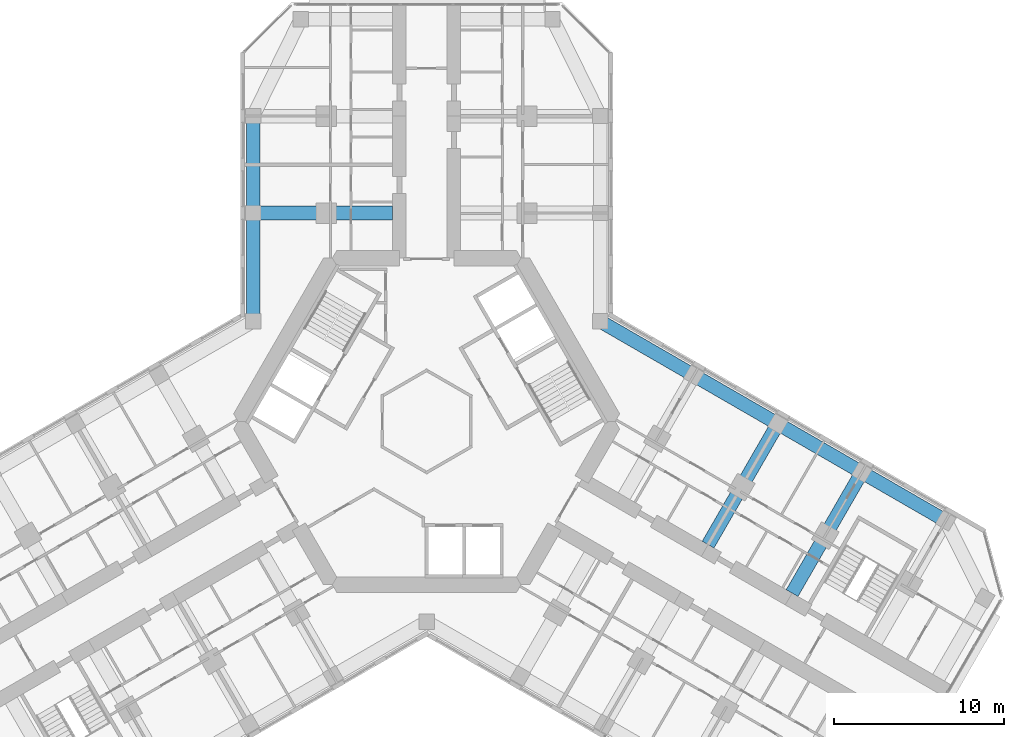
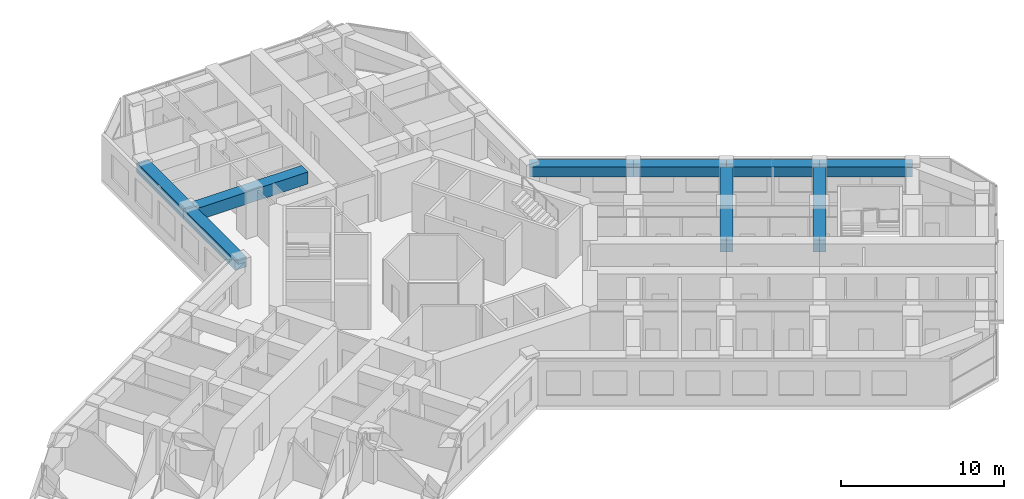
# One storey, part 6 of 19: 9 beams.
"""IFC4 building model written with IfcOpenShell, lengths in metres."""

from ifc_helpers import new_model, si_unit, direction, frame, origin, origin_2d, place, context, subcontext, project, spatial, rectangle, extrude, material, material_profile, profile_set, type_object, element, save


model = new_model("IFC4")

# Units and contexts
model_context = context("Model", 3, precision=1e-05, world=origin(), true_north=direction((0.0, 1.0)))
body_context = subcontext(model_context, "Body", "Model", "MODEL_VIEW")
ifc_project = project(units=[si_unit("LENGTHUNIT", "METRE"), si_unit("AREAUNIT", "SQUARE_METRE"), si_unit("VOLUMEUNIT", "CUBIC_METRE"), si_unit("PLANEANGLEUNIT", "RADIAN"), si_unit("MASSUNIT", "GRAM", prefix="KILO")], contexts=[model_context])

# Site, building, storey
site_placement = place(None, origin())
site = spatial("IfcSite", under=ifc_project, at=site_placement, CompositionType="ELEMENT")
building_placement = place(site_placement, origin())
building = spatial("IfcBuilding", under=site, at=building_placement, Name="Kosmar Iwan School Tower", CompositionType="ELEMENT")
storey_placement = place(building_placement, frame((0.0, 0.0, 158.0)))
storey = spatial("IfcBuildingStorey", under=building, at=storey_placement, Name="L39", CompositionType="ELEMENT", Elevation=158.0)

# Beams
ifc_material_1 = material(Name="Concrete C50/60", Category="concrete")
ifc_material_profile_1 = material_profile(ifc_material_1, rectangle(XDim=0.800048828125, YDim=0.75, at=origin_2d()), Name="RC 800x750")
ifc_profile_set_1 = profile_set([ifc_material_profile_1], Name="Concrete C50/60")
beam_type_1 = type_object("IfcBeamType", Name="RC edge beam 800x750", PredefinedType="BEAM", material=ifc_profile_set_1)
beam_1_placement = place(storey_placement, frame((-10.199951171875, 5.888916015625, 2.97509765625), z_axis=(0.0, 1.0, 0.0), x_axis=(-1.0, 0.0, 0.0)))
element("IfcBeam", 1, at=beam_1_placement, inside=storey, type_object=beam_type_1, Name="Edge beam AL1", PredefinedType="BEAM", context=body_context, shape_type="SweptSolid", body=[
    extrude(rectangle(XDim=0.800048828125, YDim=0.75, at=origin_2d()), origin(), (0.0, 0.0, 1.0), 6.361083984375),
])
beam_2_placement = place(storey_placement, frame((-10.199951171875, 12.25, 2.97509765625), z_axis=(0.0, 1.0, 0.0), x_axis=(-1.0, 0.0, 0.0)))
element("IfcBeam", 2, at=beam_2_placement, inside=storey, type_object=beam_type_1, Name="Edge beam AL2", PredefinedType="BEAM", context=body_context, shape_type="SweptSolid", body=[
    extrude(rectangle(XDim=0.800048828125, YDim=0.75, at=origin_2d()), origin(), (0.0, 0.0, 1.0), 5.699951171875),
])
beam_3_placement = place(storey_placement, frame((10.199951171875, 5.888916015625, 2.97509765625), z_axis=(0.866030912664, -0.49999045822, 0.0), x_axis=(0.49999045822, 0.866030912664, 0.0)))
element("IfcBeam", 3, at=beam_3_placement, inside=storey, type_object=beam_type_1, Name="Edge beam CL1", PredefinedType="BEAM", context=body_context, shape_type="SweptSolid", body=[
    extrude(rectangle(XDim=0.800048828125, YDim=0.75, at=origin_2d()), origin(), (0.0, 0.0, 1.0), 6.36083984375),
])
beam_4_placement = place(storey_placement, frame((15.708740234375, 2.70849609375, 2.97509765625), z_axis=(0.866025820012, -0.499999279071, 0.0), x_axis=(0.499999279071, 0.866025820012, 0.0)))
element("IfcBeam", 4, at=beam_4_placement, inside=storey, type_object=beam_type_1, Name="Edge beam CL2", PredefinedType="BEAM", context=body_context, shape_type="SweptSolid", body=[
    extrude(rectangle(XDim=0.800048828125, YDim=0.75, at=origin_2d()), origin(), (0.0, 0.0, 1.0), 5.7001953125),
])
for number, where, z_axis, x_axis, name in (
    (5, (20.645263671875, -0.1416015625, 2.97509765625), (0.866033658841, -0.49998570155, 0.0), (0.49998570155, 0.866033658841, 0.0), "Edge beam CL3"),
    (6, (25.58154296875, -2.991455078125, 2.97509765625), (0.866015111908, -0.50001782563, 0.0), (0.50001782563, 0.866015111908, 0.0), "Edge beam CL4"),
):
    element("IfcBeam", number, at=place(storey_placement, frame(where, z_axis=z_axis, x_axis=x_axis)), inside=storey, type_object=beam_type_1, Name=name, PredefinedType="BEAM", context=body_context, shape_type="SweptSolid", body=[
        extrude(rectangle(XDim=0.800048828125, YDim=0.75, at=origin_2d()), origin(), (0.0, 0.0, 1.0), 5.699951171875),
    ])
ifc_material_2 = material(Name="Concrete C50/60", Category="concrete")
ifc_material_profile_2 = material_profile(ifc_material_2, rectangle(XDim=0.800048828125, YDim=0.89990234375, at=origin_2d()), Name="RC 800x900")
ifc_profile_set_2 = profile_set([ifc_material_profile_2], Name="Concrete C50/60")
beam_type_2 = type_object("IfcBeamType", Name="RC transverse beam 800x900", PredefinedType="BEAM", material=ifc_profile_set_2)
for number, where, z_axis, x_axis, name in (
    (7, (-10.199951171875, 12.25, 2.89990234375), (1.0, 0.0, 0.0), (0.0, 1.0, 0.0), "Transverse beam AL1"),
    (8, (20.645263671875, -0.1416015625, 2.89990234375), (-0.500013681986, -0.866017504342, 0.0), (0.866017504342, -0.500013681986, 0.0), "Transverse beam CL2"),
):
    element("IfcBeam", number, at=place(storey_placement, frame(where, z_axis=z_axis, x_axis=x_axis)), inside=storey, type_object=beam_type_2, Name=name, PredefinedType="BEAM", context=body_context, shape_type="SweptSolid", body=[
        extrude(rectangle(XDim=0.800048828125, YDim=0.89990234375, at=origin_2d()), origin(), (0.0, 0.0, 1.0), 8.199951171875),
    ])
beam_5_placement = place(storey_placement, frame((25.58154296875, -2.991455078125, 2.89990234375), z_axis=(-0.500000789788, -0.8660249478, 0.0), x_axis=(0.8660249478, -0.500000789788, 0.0)))
element("IfcBeam", 9, at=beam_5_placement, inside=storey, type_object=beam_type_2, Name="Transverse beam CL3", PredefinedType="BEAM", context=body_context, shape_type="SweptSolid", body=[
    extrude(rectangle(XDim=0.800048828125, YDim=0.89990234375, at=origin_2d()), origin(), (0.0, 0.0, 1.0), 8.2001953125),
])

save(model, "model.ifc")
